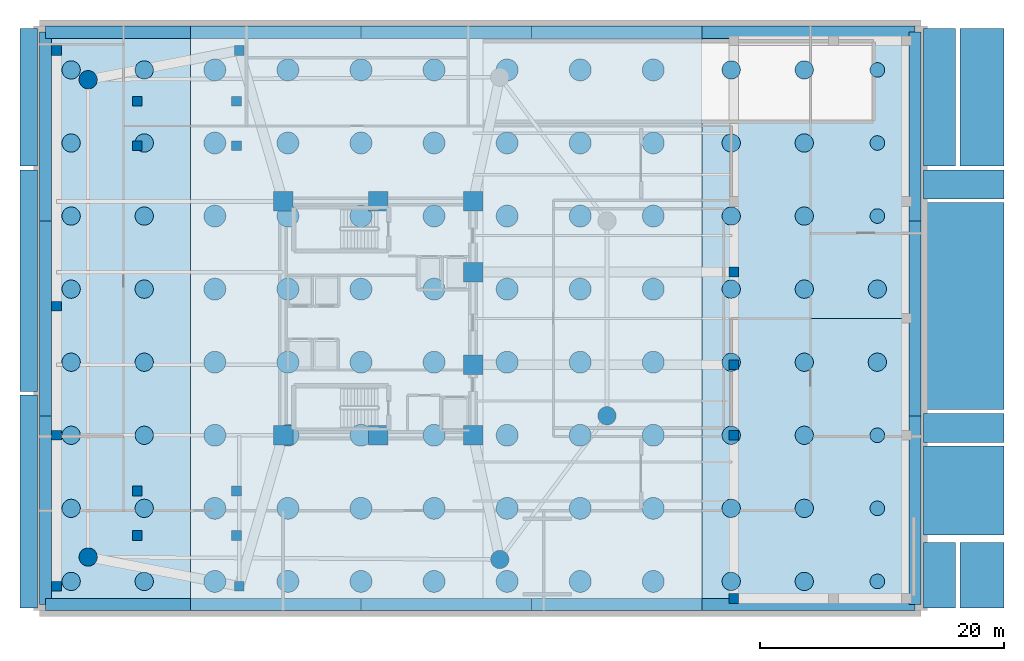
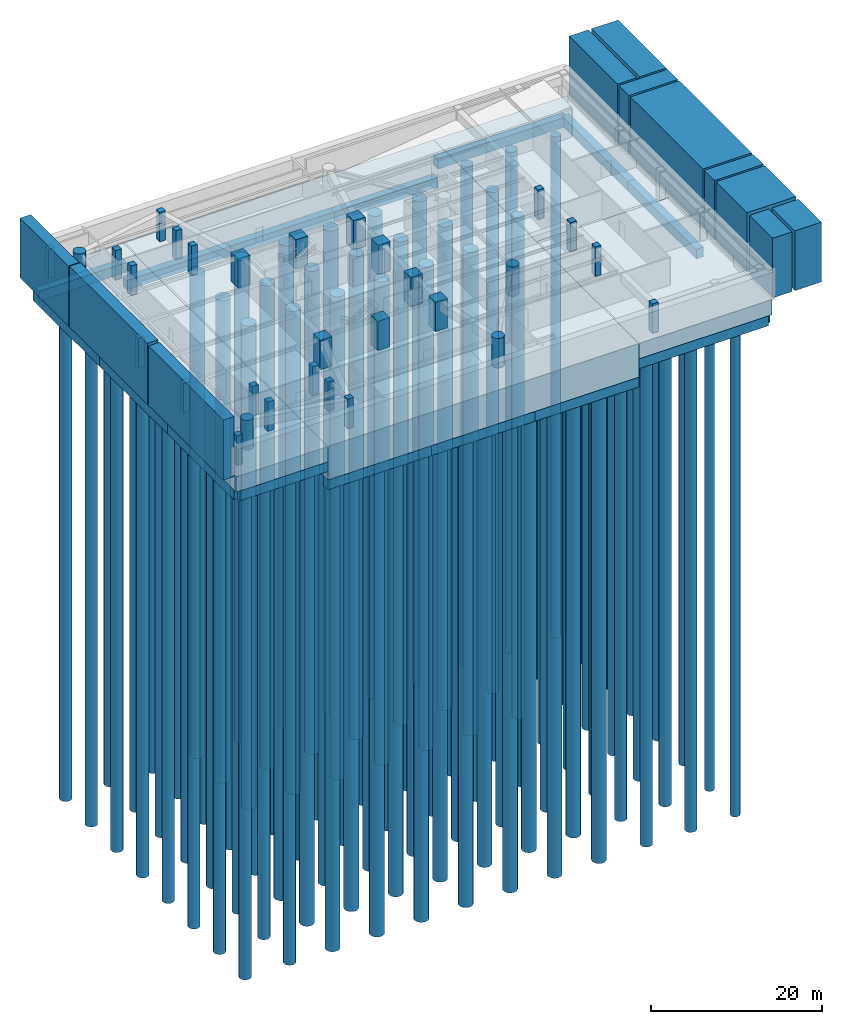
# One storey, part 1 of 8: 96 piles, 31 footings, 30 columns.
"""IFC4 building model written with IfcOpenShell, lengths in metres."""

import ifcopenshell
import ifcopenshell.guid

model = None  # the IFC model being written
_history = None  # IfcOwnerHistory: only IFC2X3 demands one
_inside = {}  # id of a spatial element -> (the spatial element, [elements in it])
_under = {}  # id of a project, library or spatial element -> (it, [spatial elements below it])
_declared = {}  # id of a project -> (the project, [libraries it declares])
_typed = {}  # id of a type object -> (the type object, [elements of that type])
_made_of = {}  # id of a material, layer set ... -> (it, [elements and type objects made of it])


def new_model(schema):
    """Start an empty IFC model of exactly this schema.

    Asked for "IFC4X3", IfcOpenShell would pick the latest addendum, in which some entities
    have other attributes; the version numbers below select the first issue.
    IFC2X3 requires an IfcOwnerHistory on every rooted entity: one is made here for all.
    """
    global model, _history
    if schema == "IFC4X3":
        model = ifcopenshell.file(schema_version=(4, 3, 0, 0))
    else:
        model = ifcopenshell.file(schema=schema)
    _inside.clear()
    _under.clear()
    _declared.clear()
    _typed.clear()
    _made_of.clear()
    _history = None
    if model.schema == "IFC2X3":
        org = make("IfcOrganization", Name="unknown")
        user = make(
            "IfcPersonAndOrganization",
            ThePerson=make("IfcPerson", FamilyName="unknown"),
            TheOrganization=org,
        )
        app = make(
            "IfcApplication",
            ApplicationDeveloper=org,
            Version="unknown",
            ApplicationFullName="unknown",
            ApplicationIdentifier="unknown",
        )
        _history = make(
            "IfcOwnerHistory",
            OwningUser=user,
            OwningApplication=app,
            ChangeAction="ADDED",
            CreationDate=0,
        )
    return model


def make(cls, **values):
    """One entity of the class cls with the attributes given. An attribute that is None is left unset."""
    return model.create_entity(
        cls, **{name: value for name, value in values.items() if value is not None}
    )


def rooted(cls, **values):
    """An entity with a GlobalId (a new one), such as an element, a storey or a relation."""
    return make(cls, GlobalId=ifcopenshell.guid.new(), OwnerHistory=_history, **values)


def si_unit(unit_type, name, prefix=None):
    """IfcSIUnit, for example si_unit("LENGTHUNIT", "METRE", prefix="MILLI")."""
    return make("IfcSIUnit", UnitType=unit_type, Prefix=prefix, Name=name)


def assignment(units):
    """IfcUnitAssignment: the units of a project."""
    return None if units is None else make("IfcUnitAssignment", Units=units)


def point(xyz):
    """IfcCartesianPoint."""
    return None if xyz is None else make("IfcCartesianPoint", Coordinates=xyz)


def direction(xyz):
    """IfcDirection."""
    return None if xyz is None else make("IfcDirection", DirectionRatios=xyz)


def frame(location, z_axis=None, x_axis=None):
    """IfcAxis2Placement3D, a coordinate frame: its origin and axes. An axis left out is left unset."""
    return make(
        "IfcAxis2Placement3D",
        Location=point(location),
        Axis=direction(z_axis),
        RefDirection=direction(x_axis),
    )


def frame_2d(location, x_axis=None):
    """IfcAxis2Placement2D, a coordinate frame in the plane: its origin and x axis."""
    return make(
        "IfcAxis2Placement2D", Location=point(location), RefDirection=direction(x_axis)
    )


def origin():
    """The frame at (0, 0, 0) with its axes left unset."""
    return frame((0.0, 0.0, 0.0))


def origin_2d():
    """The frame at (0, 0) in the plane with its x axis left unset."""
    return frame_2d((0.0, 0.0))


def place(relative_to, where):
    """IfcLocalPlacement: puts the frame where relative to a parent placement (None: the world)."""
    return make(
        "IfcLocalPlacement", PlacementRelTo=relative_to, RelativePlacement=where
    )


def context(
    kind, dimensions, precision=None, world=None, true_north=None, identifier=None
):
    """IfcGeometricRepresentationContext, for example the 3D "Model" context."""
    return make(
        "IfcGeometricRepresentationContext",
        ContextIdentifier=identifier,
        ContextType=kind,
        CoordinateSpaceDimension=dimensions,
        Precision=precision,
        WorldCoordinateSystem=world,
        TrueNorth=true_north,
    )


def subcontext(parent, identifier, kind, view, scale=None):
    """IfcGeometricRepresentationSubContext, for example "Body" below "Model"."""
    return make(
        "IfcGeometricRepresentationSubContext",
        ContextIdentifier=identifier,
        ContextType=kind,
        ParentContext=parent,
        TargetScale=scale,
        TargetView=view,
    )


def project(units=None, contexts=None):
    """IfcProject with its units and contexts."""
    return rooted(
        "IfcProject",
        Name="project",
        RepresentationContexts=contexts,
        UnitsInContext=assignment(units),
    )


def spatial(cls, under=None, at=None, **own):
    """A site, building, storey or space (cls), placed at a placement, below another one or the project."""
    s = rooted(cls, ObjectPlacement=at, **own)
    if under is not None:
        _under.setdefault(under.id(), (under, []))[1].append(s)
    return s


def polyline(points):
    """IfcPolyline through the points."""
    return make("IfcPolyline", Points=[point(p) for p in points])


def profile(cls, at=None, kind="AREA", **sizes):
    """A parametric profile (cls). Its sizes go by their IFC names, for example OverallWidth=200.0."""
    return make(cls, ProfileType=kind, Position=at, **sizes)


def rectangle(**sizes):
    """IfcRectangleProfileDef."""
    return profile("IfcRectangleProfileDef", **sizes)


def circle(**sizes):
    """IfcCircleProfileDef."""
    return profile("IfcCircleProfileDef", **sizes)


def outline(outer, holes=None, kind="AREA"):
    """IfcArbitraryClosedProfileDef: a profile drawn as a closed curve; with holes, ...WithVoids."""
    if holes is None:
        return make("IfcArbitraryClosedProfileDef", ProfileType=kind, OuterCurve=outer)
    return make(
        "IfcArbitraryProfileDefWithVoids",
        ProfileType=kind,
        OuterCurve=outer,
        InnerCurves=holes,
    )


def extrude(swept, where, along, depth):
    """IfcExtrudedAreaSolid: the profile swept, set in the frame where, extruded along a direction by depth."""
    return make(
        "IfcExtrudedAreaSolid",
        SweptArea=swept,
        Position=where,
        ExtrudedDirection=direction(along),
        Depth=depth,
    )


def shape(context_of_items, identifier, shape_type, items):
    """IfcShapeRepresentation: the items that make up one representation, for example the "Body"."""
    return make(
        "IfcShapeRepresentation",
        ContextOfItems=context_of_items,
        RepresentationIdentifier=identifier,
        RepresentationType=shape_type,
        Items=items,
    )


def material(Name=None, Category=None):
    """IfcMaterial."""
    return make("IfcMaterial", Name=Name, Category=Category)


def layer(
    of_material, thickness, ventilated=None, Name=None, Category=None, Priority=None
):
    """IfcMaterialLayer: one layer of a wall or slab, of a material (None: an air gap)."""
    return make(
        "IfcMaterialLayer",
        Material=of_material,
        LayerThickness=thickness,
        IsVentilated=ventilated,
        Name=Name,
        Category=Category,
        Priority=Priority,
    )


def layer_set(layers, Name=None):
    """IfcMaterialLayerSet."""
    return make("IfcMaterialLayerSet", MaterialLayers=layers, LayerSetName=Name)


def material_profile(
    of_material, cross_section, Name=None, Category=None, Priority=None
):
    """IfcMaterialProfile: a cross section and its material."""
    return make(
        "IfcMaterialProfile",
        Name=Name,
        Material=of_material,
        Profile=cross_section,
        Priority=Priority,
        Category=Category,
    )


def profile_set(profiles, Name=None, composite=None):
    """IfcMaterialProfileSet."""
    return make(
        "IfcMaterialProfileSet",
        Name=Name,
        MaterialProfiles=profiles,
        CompositeProfile=composite,
    )


def made_of(thing, what):
    """Note that an element or type object is made of a material, layer set ...; save() writes the relation."""
    if what is not None:
        _made_of.setdefault(what.id(), (what, []))[1].append(thing)
    return thing


def type_object(cls, material=None, **own):
    """A type object (cls), such as IfcWallType, which elements share."""
    return made_of(rooted(cls, **own), material)


def element(
    cls,
    number,
    at=None,
    inside=None,
    cuts=None,
    type_object=None,
    material=None,
    context=None,
    identifier="Body",
    shape_type=None,
    held_by="IfcProductDefinitionShape",
    body=None,
    shapes=None,
    **own,
):
    """One element of the class cls, such as IfcWall. Its Tag is "e" and its number.

    at: its placement. inside: the storey or other place that contains it. cuts: it is an
    opening in that element (IfcRelVoidsElement). A single representation is given by context,
    identifier, shape_type and body (its items); several are given by shapes. held_by: the class
    of the entity that holds the representations. save() writes the other relations.
    """
    e = rooted(cls, Tag="e%d" % number, ObjectPlacement=at, **own)
    if body is not None:
        shapes = [shape(context, identifier, shape_type, body)]
    if shapes is not None:
        e.Representation = make(held_by, Representations=shapes)
    if inside is not None:
        _inside.setdefault(inside.id(), (inside, []))[1].append(e)
    if cuts is not None:
        rooted(
            "IfcRelVoidsElement", RelatingBuildingElement=cuts, RelatedOpeningElement=e
        )
    if type_object is not None:
        _typed.setdefault(type_object.id(), (type_object, []))[1].append(e)
    return made_of(e, material)


def aggregate(whole, parts):
    """IfcRelAggregates: a whole, such as a stair, and the parts it consists of."""
    return rooted("IfcRelAggregates", RelatingObject=whole, RelatedObjects=parts)


def save(model, path):
    """Write the relations noted so far, then the file.

    IfcRelAggregates (storeys below a building ...), IfcRelContainedInSpatialStructure (elements
    in a storey), IfcRelDefinesByType, IfcRelAssociatesMaterial and IfcRelDeclares: one each for
    every whole, place, type object, material and project.
    """
    for whole, parts in _under.values():
        aggregate(whole, parts)
    for where, things in _inside.values():
        rooted(
            "IfcRelContainedInSpatialStructure",
            RelatedElements=things,
            RelatingStructure=where,
        )
    for kind, things in _typed.values():
        rooted("IfcRelDefinesByType", RelatedObjects=things, RelatingType=kind)
    for what, things in _made_of.values():
        rooted("IfcRelAssociatesMaterial", RelatedObjects=things, RelatingMaterial=what)
    for by, libraries in _declared.values():
        rooted("IfcRelDeclares", RelatingContext=by, RelatedDefinitions=libraries)
    model.write(path)


model = new_model("IFC4")

# Units and contexts
model_context = context("Model", 3, precision=1e-05, world=origin(), true_north=direction((0.0, 1.0)))
body_context = subcontext(model_context, "Body", "Model", "MODEL_VIEW")
ifc_project = project(units=[si_unit("LENGTHUNIT", "METRE"), si_unit("AREAUNIT", "SQUARE_METRE"), si_unit("VOLUMEUNIT", "CUBIC_METRE"), si_unit("PLANEANGLEUNIT", "RADIAN"), si_unit("MASSUNIT", "GRAM", prefix="KILO")], contexts=[model_context])

# Site, building, storey
site_placement = place(None, origin())
site = spatial("IfcSite", under=ifc_project, at=site_placement, CompositionType="ELEMENT")
building_placement = place(site_placement, origin())
building = spatial("IfcBuilding", under=site, at=building_placement, Name="An Khanh Terracotta Commons", CompositionType="ELEMENT")
storey_placement = place(building_placement, frame((0.0, 0.0, -8.39990234375)))
storey = spatial("IfcBuildingStorey", under=building, at=storey_placement, Name="B02", CompositionType="ELEMENT", Elevation=-8.39990234375)

# Footings
ifc_material_1 = material(Name="Concrete C50/60", Category="concrete")
ifc_layer_1 = layer(ifc_material_1, 8.60009765625, Name="Concrete C50/60")
ifc_layer_set_1 = layer_set([ifc_layer_1], Name="Concrete C50/60")
footing_type_1 = type_object("IfcFootingType", Name="FT-PLAZA-PAD", PredefinedType="PAD_FOOTING", material=ifc_layer_set_1)
footing_1_placement = place(storey_placement, frame((0.0, 0.0, -0.300048828125)))
element("IfcFooting", 1, at=footing_1_placement, inside=storey, type_object=footing_type_1, Name="West Boulevard Entrance Canopy and Ramp Foundation Strip", PredefinedType="PAD_FOOTING", context=body_context, shape_type="SweptSolid", body=[
    extrude(outline(polyline([(0.0, 18.0), (1.449951171875, 18.0), (1.449951171875, 36.199951171875), (0.0, 36.199951171875), (0.0, 18.0)])), origin(), (0.0, 0.0, 1.0), 8.699951171875),
])
footing_2_placement = place(storey_placement, frame((0.0, 0.0, -0.300048828125)))
element("IfcFooting", 2, at=footing_2_placement, inside=storey, type_object=footing_type_1, Name="East Plaza Ramp South Foundation Pier", PredefinedType="PAD_FOOTING", context=body_context, shape_type="SweptSolid", body=[
    extrude(outline(polyline([(74.199951171875, 13.800048828125), (80.800048828125, 13.800048828125), (80.800048828125, 16.199951171875), (74.199951171875, 16.199951171875), (74.199951171875, 13.800048828125)])), origin(), (0.0, 0.0, 1.0), 8.5400390625),
])
footing_3_placement = place(storey_placement, frame((0.0, 0.0, -0.300048828125)))
element("IfcFooting", 3, at=footing_3_placement, inside=storey, type_object=footing_type_1, Name="East Plaza Ramp North Foundation Pier", PredefinedType="PAD_FOOTING", context=body_context, shape_type="SweptSolid", body=[
    extrude(outline(polyline([(74.199951171875, 33.800048828125), (80.800048828125, 33.800048828125), (80.800048828125, 36.199951171875), (74.199951171875, 36.199951171875), (74.199951171875, 33.800048828125)])), origin(), (0.0, 0.0, 1.0), 8.5400390625),
])
footing_4_placement = place(storey_placement, frame((0.0, 0.0, -0.300048828125)))
element("IfcFooting", 4, at=footing_4_placement, inside=storey, type_object=footing_type_1, Name="East Ramp Apron South-West Foundation Pier", PredefinedType="PAD_FOOTING", context=body_context, shape_type="SweptSolid", body=[
    extrude(outline(polyline([(74.199951171875, 0.199951171875), (76.800048828125, 0.199951171875), (76.800048828125, 5.60009765625), (74.199951171875, 5.60009765625), (74.199951171875, 0.199951171875)])), origin(), (0.0, 0.0, 1.0), 8.5400390625),
])
footing_5_placement = place(storey_placement, frame((0.0, 0.0, -0.300048828125)))
element("IfcFooting", 5, at=footing_5_placement, inside=storey, type_object=footing_type_1, Name="East Ramp Apron South-East Foundation Pier", PredefinedType="PAD_FOOTING", context=body_context, shape_type="SweptSolid", body=[
    extrude(outline(polyline([(77.199951171875, 0.199951171875), (80.800048828125, 0.199951171875), (80.800048828125, 5.60009765625), (77.199951171875, 5.60009765625), (77.199951171875, 0.199951171875)])), origin(), (0.0, 0.0, 1.0), 8.5400390625),
])
footing_6_placement = place(storey_placement, frame((0.0, 0.0, -0.300048828125)))
element("IfcFooting", 6, at=footing_6_placement, inside=storey, type_object=footing_type_1, Name="East Ramp Apron North Foundation Strip", PredefinedType="PAD_FOOTING", context=body_context, shape_type="SweptSolid", body=[
    extrude(outline(polyline([(74.199951171875, 6.199951171875), (80.800048828125, 6.199951171875), (80.800048828125, 13.5), (74.199951171875, 13.5), (74.199951171875, 6.199951171875)])), origin(), (0.0, 0.0, 1.0), 8.5400390625),
])
footing_7_placement = place(storey_placement, frame((0.0, 0.0, -0.300048828125)))
element("IfcFooting", 7, at=footing_7_placement, inside=storey, type_object=footing_type_1, Name="East Riverfront Plaza Central Foundation Strip", PredefinedType="PAD_FOOTING", context=body_context, shape_type="SweptSolid", body=[
    extrude(outline(polyline([(74.199951171875, 16.5), (80.800048828125, 16.5), (80.800048828125, 33.5), (74.199951171875, 33.5), (74.199951171875, 16.5)])), origin(), (0.0, 0.0, 1.0), 8.5400390625),
])
footing_8_placement = place(storey_placement, frame((0.0, 0.0, -0.300048828125)))
element("IfcFooting", 8, at=footing_8_placement, inside=storey, type_object=footing_type_1, Name="East Riverfront Plaza North-West Foundation Strip", PredefinedType="PAD_FOOTING", context=body_context, shape_type="SweptSolid", body=[
    extrude(outline(polyline([(74.199951171875, 36.5), (76.800048828125, 36.5), (76.800048828125, 47.800048828125), (74.199951171875, 47.800048828125), (74.199951171875, 36.5)])), origin(), (0.0, 0.0, 1.0), 8.5400390625),
])
footing_9_placement = place(storey_placement, frame((0.0, 0.0, -0.300048828125)))
element("IfcFooting", 9, at=footing_9_placement, inside=storey, type_object=footing_type_1, Name="East Riverfront Plaza North-East Foundation Strip", PredefinedType="PAD_FOOTING", context=body_context, shape_type="SweptSolid", body=[
    extrude(outline(polyline([(77.199951171875, 36.5), (80.800048828125, 36.5), (80.800048828125, 47.800048828125), (77.199951171875, 47.800048828125), (77.199951171875, 36.5)])), origin(), (0.0, 0.0, 1.0), 8.5400390625),
])
footing_10_placement = place(storey_placement, frame((0.0, 0.0, -0.300048828125)))
element("IfcFooting", 10, at=footing_10_placement, inside=storey, type_object=footing_type_1, Name="West Boulevard South Apron Foundation Strip", PredefinedType="PAD_FOOTING", context=body_context, shape_type="SweptSolid", body=[
    extrude(outline(polyline([(0.0, 0.199951171875), (1.449951171875, 0.199951171875), (1.449951171875, 17.699951171875), (0.0, 17.699951171875), (0.0, 0.199951171875)])), origin(), (0.0, 0.0, 1.0), 8.5400390625),
])
footing_11_placement = place(storey_placement, frame((0.0, 0.0, -0.300048828125)))
element("IfcFooting", 11, at=footing_11_placement, inside=storey, type_object=footing_type_1, Name="West Boulevard North Apron Foundation Strip", PredefinedType="PAD_FOOTING", context=body_context, shape_type="SweptSolid", body=[
    extrude(outline(polyline([(0.0, 36.5), (1.449951171875, 36.5), (1.449951171875, 47.800048828125), (0.0, 47.800048828125), (0.0, 36.5)])), origin(), (0.0, 0.0, 1.0), 8.5400390625),
])
ifc_layer_2 = layer(ifc_material_1, 2.199951171875, Name="Concrete C50/60")
ifc_layer_set_2 = layer_set([ifc_layer_2], Name="Concrete C50/60")
footing_type_2 = type_object("IfcFootingType", Name="FT-RAFT-2200E", PredefinedType="PAD_FOOTING", material=ifc_layer_set_2)
footing_12_placement = place(storey_placement, frame((0.0, 0.0, -2.5)))
element("IfcFooting", 12, at=footing_12_placement, inside=storey, type_object=footing_type_2, Name="South-East Basement Piled Raft 2200 mm", PredefinedType="PAD_FOOTING", context=body_context, shape_type="SweptSolid", body=[
    extrude(outline(polyline([(56.0, 0.0), (74.0, 0.0), (74.0, 24.0), (56.0, 24.0), (56.0, 0.0)])), origin(), (0.0, 0.0, 1.0), 2.199951171875),
])
footing_13_placement = place(storey_placement, frame((0.0, 0.0, -2.5)))
element("IfcFooting", 13, at=footing_13_placement, inside=storey, type_object=footing_type_2, Name="North-East Basement Piled Raft 2200 mm", PredefinedType="PAD_FOOTING", context=body_context, shape_type="SweptSolid", body=[
    extrude(outline(polyline([(56.0, 24.0), (74.0, 24.0), (74.0, 48.0), (56.0, 48.0), (56.0, 24.0)])), origin(), (0.0, 0.0, 1.0), 2.199951171875),
])
ifc_layer_3 = layer(ifc_material_1, 2.199951171875, Name="Concrete C50/60")
ifc_layer_set_3 = layer_set([ifc_layer_3], Name="Concrete C50/60")
footing_type_3 = type_object("IfcFootingType", Name="FT-RAFT-2200W", PredefinedType="PAD_FOOTING", material=ifc_layer_set_3)
footing_14_placement = place(storey_placement, frame((0.0, 0.0, -2.5)))
element("IfcFooting", 14, at=footing_14_placement, inside=storey, type_object=footing_type_3, Name="West Basement Piled Raft 2200 mm", PredefinedType="PAD_FOOTING", context=body_context, shape_type="SweptSolid", body=[
    extrude(outline(polyline([(1.60009765625, 0.0), (14.0, 0.0), (14.0, 48.0), (1.60009765625, 48.0), (1.60009765625, 0.0)])), origin(), (0.0, 0.0, 1.0), 2.199951171875),
])
ifc_layer_4 = layer(ifc_material_1, 4.800048828125, Name="Concrete C50/60")
ifc_layer_set_4 = layer_set([ifc_layer_4], Name="Concrete C50/60")
footing_type_4 = type_object("IfcFootingType", Name="FT-RAFT-4800", PredefinedType="PAD_FOOTING", material=ifc_layer_set_4)
footing_15_placement = place(storey_placement, frame((0.0, 0.0, -5.10009765625)))
element("IfcFooting", 15, at=footing_15_placement, inside=storey, type_object=footing_type_4, Name="Tower and Core Monolithic Piled Raft 4800 mm", PredefinedType="PAD_FOOTING", context=body_context, shape_type="SweptSolid", body=[
    extrude(outline(polyline([(14.0, 0.0), (56.0, 0.0), (56.0, 48.0), (14.0, 48.0), (14.0, 0.0)])), origin(), (0.0, 0.0, 1.0), 4.800048828125),
])
ifc_material_profile_1 = material_profile(ifc_material_1, rectangle(XDim=1.0, YDim=1.39990234375, at=origin_2d()), Name="FTB1000x1400")
ifc_profile_set_1 = profile_set([ifc_material_profile_1], Name="Concrete C50/60")
footing_type_5 = type_object("IfcFootingType", Name="FTB-1000x1400", PredefinedType="FOOTING_BEAM", material=ifc_profile_set_1)
for number, where, z_axis, x_axis, name in (
    (16, (2.10009765625, 0.5, -3.2001953125), (1.0, 0.0, 0.0), (0.0, 1.0, 0.0), "Perimeter Raft Tie Beam FTB-01"),
    (17, (14.0, 47.5, -3.2001953125), (-1.0, 0.0, 0.0), (0.0, -1.0, 0.0), "Perimeter Raft Tie Beam FTB-02"),
):
    element("IfcFooting", number, at=place(storey_placement, frame(where, z_axis=z_axis, x_axis=x_axis)), inside=storey, type_object=footing_type_5, Name=name, PredefinedType="FOOTING_BEAM", context=body_context, shape_type="SweptSolid", body=[
        extrude(rectangle(XDim=1.0, YDim=1.39990234375, at=origin_2d()), origin(), (0.0, 0.0, 1.0), 11.89990234375),
    ])
footing_16_placement = place(storey_placement, frame((2.10009765625, 0.5, -3.2001953125), z_axis=(0.0, 1.0, 0.0), x_axis=(-1.0, 0.0, 0.0)))
element("IfcFooting", 18, at=footing_16_placement, inside=storey, type_object=footing_type_5, Name="Perimeter Raft Tie Beam FTB-03", PredefinedType="FOOTING_BEAM", context=body_context, shape_type="SweptSolid", body=[
    extrude(rectangle(XDim=1.0, YDim=1.39990234375, at=origin_2d()), origin(), (0.0, 0.0, 1.0), 15.5),
])
footing_17_placement = place(storey_placement, frame((2.10009765625, 16.0, -3.2001953125), z_axis=(0.0, 1.0, 0.0), x_axis=(-1.0, 0.0, 0.0)))
element("IfcFooting", 19, at=footing_17_placement, inside=storey, type_object=footing_type_5, Name="Perimeter Raft Tie Beam FTB-04", PredefinedType="FOOTING_BEAM", context=body_context, shape_type="SweptSolid", body=[
    extrude(rectangle(XDim=1.0, YDim=1.39990234375, at=origin_2d()), origin(), (0.0, 0.0, 1.0), 16.0),
])
footing_18_placement = place(storey_placement, frame((2.10009765625, 32.0, -3.2001953125), z_axis=(0.0, 1.0, 0.0), x_axis=(-1.0, 0.0, 0.0)))
element("IfcFooting", 20, at=footing_18_placement, inside=storey, type_object=footing_type_5, Name="Perimeter Raft Tie Beam FTB-05", PredefinedType="FOOTING_BEAM", context=body_context, shape_type="SweptSolid", body=[
    extrude(rectangle(XDim=1.0, YDim=1.39990234375, at=origin_2d()), origin(), (0.0, 0.0, 1.0), 15.5),
])
for number, where, z_axis, x_axis, name in (
    (21, (14.0, 0.5, -5.800048828125), (1.0, 0.0, 0.0), (0.0, 1.0, 0.0), "Perimeter Raft Tie Beam FTB-06"),
    (22, (28.0, 0.5, -5.800048828125), (1.0, 0.0, 0.0), (0.0, 1.0, 0.0), "Perimeter Raft Tie Beam FTB-07"),
    (23, (42.0, 0.5, -5.800048828125), (1.0, 0.0, 0.0), (0.0, 1.0, 0.0), "Perimeter Raft Tie Beam FTB-08"),
    (24, (14.0, 47.5, -5.800048828125), (1.0, 0.0, 0.0), (0.0, 1.0, 0.0), "Perimeter Raft Tie Beam FTB-09"),
    (25, (28.0, 47.5, -5.800048828125), (1.0, 0.0, 0.0), (0.0, 1.0, 0.0), "Perimeter Raft Tie Beam FTB-10"),
    (26, (42.0, 47.5, -5.800048828125), (1.0, 0.0, 0.0), (0.0, 1.0, 0.0), "Perimeter Raft Tie Beam FTB-11"),
):
    element("IfcFooting", number, at=place(storey_placement, frame(where, z_axis=z_axis, x_axis=x_axis)), inside=storey, type_object=footing_type_5, Name=name, PredefinedType="FOOTING_BEAM", context=body_context, shape_type="SweptSolid", body=[
        extrude(rectangle(XDim=1.0, YDim=1.39990234375, at=origin_2d()), origin(), (0.0, 0.0, 1.0), 14.0),
    ])
for number, where, z_axis, x_axis, name in (
    (27, (56.0, 0.5, -3.2001953125), (1.0, 0.0, 0.0), (0.0, 1.0, 0.0), "Perimeter Raft Tie Beam FTB-12"),
    (28, (56.0, 47.5, -3.2001953125), (1.0, 0.0, 0.0), (0.0, 1.0, 0.0), "Perimeter Raft Tie Beam FTB-13"),
):
    element("IfcFooting", number, at=place(storey_placement, frame(where, z_axis=z_axis, x_axis=x_axis)), inside=storey, type_object=footing_type_5, Name=name, PredefinedType="FOOTING_BEAM", context=body_context, shape_type="SweptSolid", body=[
        extrude(rectangle(XDim=1.0, YDim=1.39990234375, at=origin_2d()), origin(), (0.0, 0.0, 1.0), 17.5),
    ])
footing_19_placement = place(storey_placement, frame((73.5, 0.5, -3.2001953125), z_axis=(0.0, 1.0, 0.0), x_axis=(-1.0, 0.0, 0.0)))
element("IfcFooting", 29, at=footing_19_placement, inside=storey, type_object=footing_type_5, Name="Perimeter Raft Tie Beam FTB-14", PredefinedType="FOOTING_BEAM", context=body_context, shape_type="SweptSolid", body=[
    extrude(rectangle(XDim=1.0, YDim=1.39990234375, at=origin_2d()), origin(), (0.0, 0.0, 1.0), 15.5),
])
footing_20_placement = place(storey_placement, frame((73.5, 16.0, -3.2001953125), z_axis=(0.0, 1.0, 0.0), x_axis=(-1.0, 0.0, 0.0)))
element("IfcFooting", 30, at=footing_20_placement, inside=storey, type_object=footing_type_5, Name="Perimeter Raft Tie Beam FTB-15", PredefinedType="FOOTING_BEAM", context=body_context, shape_type="SweptSolid", body=[
    extrude(rectangle(XDim=1.0, YDim=1.39990234375, at=origin_2d()), origin(), (0.0, 0.0, 1.0), 16.0),
])
footing_21_placement = place(storey_placement, frame((73.5, 32.0, -3.2001953125), z_axis=(0.0, 1.0, 0.0), x_axis=(-1.0, 0.0, 0.0)))
element("IfcFooting", 31, at=footing_21_placement, inside=storey, type_object=footing_type_5, Name="Perimeter Raft Tie Beam FTB-16", PredefinedType="FOOTING_BEAM", context=body_context, shape_type="SweptSolid", body=[
    extrude(rectangle(XDim=1.0, YDim=1.39990234375, at=origin_2d()), origin(), (0.0, 0.0, 1.0), 15.5),
])

# Piles
ifc_material_profile_2 = material_profile(ifc_material_1, circle(Radius=0.60009765625, at=origin_2d()), Name="PILE1200")
ifc_profile_set_2 = profile_set([ifc_material_profile_2], Name="Concrete C50/60")
pile_type_1 = type_object("IfcPileType", Name="PILE-PILE1200", PredefinedType="BORED", material=ifc_profile_set_2)
for number, where, z_axis, x_axis, name in (
    (32, (70.39990234375, 2.39990234375, -2.35009765625), (0.0, 0.0, -1.0), (1.0, 0.0, 0.0), "Podium Bored Pile P-089"),
    (33, (70.39990234375, 8.39990234375, -2.35009765625), (0.0, 0.0, -1.0), (1.0, 0.0, 0.0), "Podium Bored Pile P-090"),
    (34, (70.39990234375, 14.39990234375, -2.35009765625), (0.0, 0.0, -1.0), (1.0, 0.0, 0.0), "Podium Bored Pile P-091"),
    (35, (70.39990234375, 32.39990234375, -2.35009765625), (0.0, 0.0, -1.0), (1.0, 0.0, 0.0), "Podium Bored Pile P-094"),
    (36, (70.39990234375, 38.39990234375, -2.35009765625), (0.0, 0.0, -1.0), (1.0, 0.0, 0.0), "Podium Bored Pile P-095"),
    (37, (70.39990234375, 44.39990234375, -2.35009765625), (0.0, 0.0, -1.0), (1.0, 0.0, 0.0), "Podium Bored Pile P-096"),
):
    element("IfcPile", number, at=place(storey_placement, frame(where, z_axis=z_axis, x_axis=x_axis)), inside=storey, type_object=pile_type_1, Name=name, PredefinedType="BORED", context=body_context, shape_type="SweptSolid", body=[
        extrude(circle(Radius=0.60009765625, at=origin_2d()), origin(), (0.0, 0.0, 1.0), 71.64990234375),
    ])
ifc_material_profile_3 = material_profile(ifc_material_1, circle(Radius=0.75, at=origin_2d()), Name="PILE1500")
ifc_profile_set_3 = profile_set([ifc_material_profile_3], Name="Concrete C50/60")
pile_type_2 = type_object("IfcPileType", Name="PILE-PILE1500", PredefinedType="BORED", material=ifc_profile_set_3)
for number, where, z_axis, x_axis, name in (
    (38, (4.199951171875, 2.39990234375, -2.35009765625), (0.0, 0.0, -1.0), (1.0, 0.0, 0.0), "Podium Bored Pile P-057"),
    (39, (4.199951171875, 8.39990234375, -2.35009765625), (0.0, 0.0, -1.0), (1.0, 0.0, 0.0), "Podium Bored Pile P-058"),
    (40, (4.199951171875, 14.39990234375, -2.35009765625), (0.0, 0.0, -1.0), (1.0, 0.0, 0.0), "Podium Bored Pile P-059"),
    (41, (4.199951171875, 20.39990234375, -2.35009765625), (0.0, 0.0, -1.0), (1.0, 0.0, 0.0), "Podium Bored Pile P-060"),
    (42, (4.199951171875, 26.39990234375, -2.35009765625), (0.0, 0.0, -1.0), (1.0, 0.0, 0.0), "Podium Bored Pile P-061"),
    (43, (4.199951171875, 32.39990234375, -2.35009765625), (0.0, 0.0, -1.0), (1.0, 0.0, 0.0), "Podium Bored Pile P-062"),
    (44, (4.199951171875, 38.39990234375, -2.35009765625), (0.0, 0.0, -1.0), (1.0, 0.0, 0.0), "Podium Bored Pile P-063"),
    (45, (4.199951171875, 44.39990234375, -2.35009765625), (0.0, 0.0, -1.0), (1.0, 0.0, 0.0), "Podium Bored Pile P-064"),
    (46, (10.199951171875, 2.39990234375, -2.35009765625), (0.0, 0.0, -1.0), (1.0, 0.0, 0.0), "Podium Bored Pile P-065"),
    (47, (10.199951171875, 8.39990234375, -2.35009765625), (0.0, 0.0, -1.0), (1.0, 0.0, 0.0), "Podium Bored Pile P-066"),
    (48, (10.199951171875, 14.39990234375, -2.35009765625), (0.0, 0.0, -1.0), (1.0, 0.0, 0.0), "Podium Bored Pile P-067"),
    (49, (10.199951171875, 20.39990234375, -2.35009765625), (0.0, 0.0, -1.0), (1.0, 0.0, 0.0), "Podium Bored Pile P-068"),
    (50, (10.199951171875, 26.39990234375, -2.35009765625), (0.0, 0.0, -1.0), (1.0, 0.0, 0.0), "Podium Bored Pile P-069"),
    (51, (10.199951171875, 32.39990234375, -2.35009765625), (0.0, 0.0, -1.0), (1.0, 0.0, 0.0), "Podium Bored Pile P-070"),
    (52, (10.199951171875, 38.39990234375, -2.35009765625), (0.0, 0.0, -1.0), (1.0, 0.0, 0.0), "Podium Bored Pile P-071"),
    (53, (10.199951171875, 44.39990234375, -2.35009765625), (0.0, 0.0, -1.0), (1.0, 0.0, 0.0), "Podium Bored Pile P-072"),
    (54, (58.39990234375, 2.39990234375, -2.35009765625), (0.0, 0.0, -1.0), (1.0, 0.0, 0.0), "Podium Bored Pile P-073"),
    (55, (58.39990234375, 8.39990234375, -2.35009765625), (0.0, 0.0, -1.0), (1.0, 0.0, 0.0), "Podium Bored Pile P-074"),
    (56, (58.39990234375, 14.39990234375, -2.35009765625), (0.0, 0.0, -1.0), (1.0, 0.0, 0.0), "Podium Bored Pile P-075"),
    (57, (58.39990234375, 20.39990234375, -2.35009765625), (0.0, 0.0, -1.0), (1.0, 0.0, 0.0), "Podium Bored Pile P-076"),
    (58, (58.39990234375, 26.39990234375, -2.35009765625), (0.0, 0.0, -1.0), (1.0, 0.0, 0.0), "Podium Bored Pile P-077"),
    (59, (58.39990234375, 32.39990234375, -2.35009765625), (0.0, 0.0, -1.0), (1.0, 0.0, 0.0), "Podium Bored Pile P-078"),
    (60, (58.39990234375, 38.39990234375, -2.35009765625), (0.0, 0.0, -1.0), (1.0, 0.0, 0.0), "Podium Bored Pile P-079"),
    (61, (58.39990234375, 44.39990234375, -2.35009765625), (0.0, 0.0, -1.0), (1.0, 0.0, 0.0), "Podium Bored Pile P-080"),
    (62, (64.39990234375, 2.39990234375, -2.35009765625), (0.0, 0.0, -1.0), (1.0, 0.0, 0.0), "Podium Bored Pile P-081"),
    (63, (64.39990234375, 8.39990234375, -2.35009765625), (0.0, 0.0, -1.0), (1.0, 0.0, 0.0), "Podium Bored Pile P-082"),
    (64, (64.39990234375, 14.39990234375, -2.35009765625), (0.0, 0.0, -1.0), (1.0, 0.0, 0.0), "Podium Bored Pile P-083"),
    (65, (64.39990234375, 20.39990234375, -2.35009765625), (0.0, 0.0, -1.0), (1.0, 0.0, 0.0), "Podium Bored Pile P-084"),
    (66, (64.39990234375, 26.39990234375, -2.35009765625), (0.0, 0.0, -1.0), (1.0, 0.0, 0.0), "Podium Bored Pile P-085"),
    (67, (64.39990234375, 32.39990234375, -2.35009765625), (0.0, 0.0, -1.0), (1.0, 0.0, 0.0), "Podium Bored Pile P-086"),
    (68, (64.39990234375, 38.39990234375, -2.35009765625), (0.0, 0.0, -1.0), (1.0, 0.0, 0.0), "Podium Bored Pile P-087"),
    (69, (64.39990234375, 44.39990234375, -2.35009765625), (0.0, 0.0, -1.0), (1.0, 0.0, 0.0), "Podium Bored Pile P-088"),
    (70, (70.39990234375, 20.39990234375, -2.35009765625), (0.0, 0.0, -1.0), (1.0, 0.0, 0.0), "Podium Bored Pile P-092"),
    (71, (70.39990234375, 26.39990234375, -2.35009765625), (0.0, 0.0, -1.0), (1.0, 0.0, 0.0), "Podium Bored Pile P-093"),
):
    element("IfcPile", number, at=place(storey_placement, frame(where, z_axis=z_axis, x_axis=x_axis)), inside=storey, type_object=pile_type_2, Name=name, PredefinedType="BORED", context=body_context, shape_type="SweptSolid", body=[
        extrude(circle(Radius=0.75, at=origin_2d()), origin(), (0.0, 0.0, 1.0), 71.64990234375),
    ])
ifc_material_profile_4 = material_profile(ifc_material_1, circle(Radius=0.89990234375, at=origin_2d()), Name="PILE1800")
ifc_profile_set_4 = profile_set([ifc_material_profile_4], Name="Concrete C50/60")
pile_type_3 = type_object("IfcPileType", Name="PILE-PILE1800", PredefinedType="BORED", material=ifc_profile_set_4)
for number, where, z_axis, x_axis, name in (
    (72, (16.0, 2.39990234375, -4.9501953125), (0.0, 0.0, -1.0), (1.0, 0.0, 0.0), "Tower Bored Pile P-001"),
    (73, (16.0, 8.39990234375, -4.9501953125), (0.0, 0.0, -1.0), (1.0, 0.0, 0.0), "Tower Bored Pile P-002"),
    (74, (16.0, 14.39990234375, -4.9501953125), (0.0, 0.0, -1.0), (1.0, 0.0, 0.0), "Tower Bored Pile P-003"),
    (75, (16.0, 20.39990234375, -4.9501953125), (0.0, 0.0, -1.0), (1.0, 0.0, 0.0), "Tower Bored Pile P-004"),
    (76, (16.0, 26.39990234375, -4.9501953125), (0.0, 0.0, -1.0), (1.0, 0.0, 0.0), "Tower Bored Pile P-005"),
    (77, (16.0, 32.39990234375, -4.9501953125), (0.0, 0.0, -1.0), (1.0, 0.0, 0.0), "Tower Bored Pile P-006"),
    (78, (16.0, 38.39990234375, -4.9501953125), (0.0, 0.0, -1.0), (1.0, 0.0, 0.0), "Tower Bored Pile P-007"),
    (79, (16.0, 44.39990234375, -4.9501953125), (0.0, 0.0, -1.0), (1.0, 0.0, 0.0), "Tower Bored Pile P-008"),
    (80, (22.0, 2.39990234375, -4.9501953125), (0.0, 0.0, -1.0), (1.0, 0.0, 0.0), "Tower Bored Pile P-009"),
    (81, (22.0, 8.39990234375, -4.9501953125), (0.0, 0.0, -1.0), (1.0, 0.0, 0.0), "Tower Bored Pile P-010"),
    (82, (22.0, 14.39990234375, -4.9501953125), (0.0, 0.0, -1.0), (1.0, 0.0, 0.0), "Tower Bored Pile P-011"),
    (83, (22.0, 20.39990234375, -4.9501953125), (0.0, 0.0, -1.0), (1.0, 0.0, 0.0), "Tower Bored Pile P-012"),
    (84, (22.0, 26.39990234375, -4.9501953125), (0.0, 0.0, -1.0), (1.0, 0.0, 0.0), "Tower Bored Pile P-013"),
    (85, (22.0, 32.39990234375, -4.9501953125), (0.0, 0.0, -1.0), (1.0, 0.0, 0.0), "Tower Bored Pile P-014"),
    (86, (22.0, 38.39990234375, -4.9501953125), (0.0, 0.0, -1.0), (1.0, 0.0, 0.0), "Tower Bored Pile P-015"),
    (87, (22.0, 44.39990234375, -4.9501953125), (0.0, 0.0, -1.0), (1.0, 0.0, 0.0), "Tower Bored Pile P-016"),
    (88, (28.0, 2.39990234375, -4.9501953125), (0.0, 0.0, -1.0), (1.0, 0.0, 0.0), "Tower Bored Pile P-017"),
    (89, (28.0, 8.39990234375, -4.9501953125), (0.0, 0.0, -1.0), (1.0, 0.0, 0.0), "Tower Bored Pile P-018"),
    (90, (28.0, 14.39990234375, -4.9501953125), (0.0, 0.0, -1.0), (1.0, 0.0, 0.0), "Tower Bored Pile P-019"),
    (91, (28.0, 20.39990234375, -4.9501953125), (0.0, 0.0, -1.0), (1.0, 0.0, 0.0), "Tower Bored Pile P-020"),
    (92, (28.0, 26.39990234375, -4.9501953125), (0.0, 0.0, -1.0), (1.0, 0.0, 0.0), "Tower Bored Pile P-021"),
    (93, (28.0, 32.39990234375, -4.9501953125), (0.0, 0.0, -1.0), (1.0, 0.0, 0.0), "Tower Bored Pile P-022"),
    (94, (28.0, 38.39990234375, -4.9501953125), (0.0, 0.0, -1.0), (1.0, 0.0, 0.0), "Tower Bored Pile P-023"),
    (95, (28.0, 44.39990234375, -4.9501953125), (0.0, 0.0, -1.0), (1.0, 0.0, 0.0), "Tower Bored Pile P-024"),
    (96, (34.0, 2.39990234375, -4.9501953125), (0.0, 0.0, -1.0), (1.0, 0.0, 0.0), "Tower Bored Pile P-025"),
    (97, (34.0, 8.39990234375, -4.9501953125), (0.0, 0.0, -1.0), (1.0, 0.0, 0.0), "Tower Bored Pile P-026"),
    (98, (34.0, 14.39990234375, -4.9501953125), (0.0, 0.0, -1.0), (1.0, 0.0, 0.0), "Tower Bored Pile P-027"),
    (99, (34.0, 20.39990234375, -4.9501953125), (0.0, 0.0, -1.0), (1.0, 0.0, 0.0), "Tower Bored Pile P-028"),
    (100, (34.0, 26.39990234375, -4.9501953125), (0.0, 0.0, -1.0), (1.0, 0.0, 0.0), "Tower Bored Pile P-029"),
    (101, (34.0, 32.39990234375, -4.9501953125), (0.0, 0.0, -1.0), (1.0, 0.0, 0.0), "Tower Bored Pile P-030"),
    (102, (34.0, 38.39990234375, -4.9501953125), (0.0, 0.0, -1.0), (1.0, 0.0, 0.0), "Tower Bored Pile P-031"),
    (103, (34.0, 44.39990234375, -4.9501953125), (0.0, 0.0, -1.0), (1.0, 0.0, 0.0), "Tower Bored Pile P-032"),
    (104, (40.0, 2.39990234375, -4.9501953125), (0.0, 0.0, -1.0), (1.0, 0.0, 0.0), "Tower Bored Pile P-033"),
    (105, (40.0, 8.39990234375, -4.9501953125), (0.0, 0.0, -1.0), (1.0, 0.0, 0.0), "Tower Bored Pile P-034"),
    (106, (40.0, 14.39990234375, -4.9501953125), (0.0, 0.0, -1.0), (1.0, 0.0, 0.0), "Tower Bored Pile P-035"),
    (107, (40.0, 20.39990234375, -4.9501953125), (0.0, 0.0, -1.0), (1.0, 0.0, 0.0), "Tower Bored Pile P-036"),
    (108, (40.0, 26.39990234375, -4.9501953125), (0.0, 0.0, -1.0), (1.0, 0.0, 0.0), "Tower Bored Pile P-037"),
    (109, (40.0, 32.39990234375, -4.9501953125), (0.0, 0.0, -1.0), (1.0, 0.0, 0.0), "Tower Bored Pile P-038"),
    (110, (40.0, 38.39990234375, -4.9501953125), (0.0, 0.0, -1.0), (1.0, 0.0, 0.0), "Tower Bored Pile P-039"),
    (111, (40.0, 44.39990234375, -4.9501953125), (0.0, 0.0, -1.0), (1.0, 0.0, 0.0), "Tower Bored Pile P-040"),
    (112, (46.0, 2.39990234375, -4.9501953125), (0.0, 0.0, -1.0), (1.0, 0.0, 0.0), "Tower Bored Pile P-041"),
    (113, (46.0, 8.39990234375, -4.9501953125), (0.0, 0.0, -1.0), (1.0, 0.0, 0.0), "Tower Bored Pile P-042"),
    (114, (46.0, 14.39990234375, -4.9501953125), (0.0, 0.0, -1.0), (1.0, 0.0, 0.0), "Tower Bored Pile P-043"),
    (115, (46.0, 20.39990234375, -4.9501953125), (0.0, 0.0, -1.0), (1.0, 0.0, 0.0), "Tower Bored Pile P-044"),
    (116, (46.0, 26.39990234375, -4.9501953125), (0.0, 0.0, -1.0), (1.0, 0.0, 0.0), "Tower Bored Pile P-045"),
    (117, (46.0, 32.39990234375, -4.9501953125), (0.0, 0.0, -1.0), (1.0, 0.0, 0.0), "Tower Bored Pile P-046"),
    (118, (46.0, 38.39990234375, -4.9501953125), (0.0, 0.0, -1.0), (1.0, 0.0, 0.0), "Tower Bored Pile P-047"),
    (119, (46.0, 44.39990234375, -4.9501953125), (0.0, 0.0, -1.0), (1.0, 0.0, 0.0), "Tower Bored Pile P-048"),
    (120, (52.0, 2.39990234375, -4.9501953125), (0.0, 0.0, -1.0), (1.0, 0.0, 0.0), "Tower Bored Pile P-049"),
    (121, (52.0, 8.39990234375, -4.9501953125), (0.0, 0.0, -1.0), (1.0, 0.0, 0.0), "Tower Bored Pile P-050"),
    (122, (52.0, 14.39990234375, -4.9501953125), (0.0, 0.0, -1.0), (1.0, 0.0, 0.0), "Tower Bored Pile P-051"),
    (123, (52.0, 20.39990234375, -4.9501953125), (0.0, 0.0, -1.0), (1.0, 0.0, 0.0), "Tower Bored Pile P-052"),
    (124, (52.0, 26.39990234375, -4.9501953125), (0.0, 0.0, -1.0), (1.0, 0.0, 0.0), "Tower Bored Pile P-053"),
    (125, (52.0, 32.39990234375, -4.9501953125), (0.0, 0.0, -1.0), (1.0, 0.0, 0.0), "Tower Bored Pile P-054"),
    (126, (52.0, 38.39990234375, -4.9501953125), (0.0, 0.0, -1.0), (1.0, 0.0, 0.0), "Tower Bored Pile P-055"),
    (127, (52.0, 44.39990234375, -4.9501953125), (0.0, 0.0, -1.0), (1.0, 0.0, 0.0), "Tower Bored Pile P-056"),
):
    element("IfcPile", number, at=place(storey_placement, frame(where, z_axis=z_axis, x_axis=x_axis)), inside=storey, type_object=pile_type_3, Name=name, PredefinedType="BORED", context=body_context, shape_type="SweptSolid", body=[
        extrude(circle(Radius=0.89990234375, at=origin_2d()), origin(), (0.0, 0.0, 1.0), 69.050048828125),
    ])

# Columns
ifc_material_2 = material(Name="Concrete C70/85", Category="concrete")
ifc_material_profile_5 = material_profile(ifc_material_2, circle(Radius=0.75, at=origin_2d()), Name="CFST1500")
ifc_profile_set_5 = profile_set([ifc_material_profile_5], Name="Concrete C70/85")
column_type_1 = type_object("IfcColumnType", Name="COL-CFST1500", PredefinedType="COLUMN", material=ifc_profile_set_5)
for number, where, z_axis, x_axis, name in (
    (128, (5.60009765625, 4.39990234375, 0.0), (0.0, 0.0, 1.0), (1.0, 0.0, 0.0), "B02 Mega-Column MC-01"),
    (129, (39.39990234375, 4.199951171875, 0.0), (0.0, 0.0, 1.0), (1.0, 0.0, 0.0), "B02 Mega-Column MC-02"),
    (130, (48.199951171875, 16.0, 0.0), (0.0, 0.0, 1.0), (1.0, 0.0, 0.0), "B02 Mega-Column MC-03"),
    (131, (5.60009765625, 43.60009765625, 0.0), (0.0, 0.0, 1.0), (1.0, 0.0, 0.0), "B02 Mega-Column MC-06"),
):
    element("IfcColumn", number, at=place(storey_placement, frame(where, z_axis=z_axis, x_axis=x_axis)), inside=storey, type_object=column_type_1, Name=name, PredefinedType="COLUMN", context=body_context, shape_type="SweptSolid", body=[
        extrude(circle(Radius=0.75, at=origin_2d()), origin(), (0.0, 0.0, 1.0), 4.199951171875),
    ])
ifc_material_profile_6 = material_profile(ifc_material_2, rectangle(XDim=1.60009765625, YDim=1.60009765625, at=origin_2d()), Name="RC1600x1600")
ifc_profile_set_6 = profile_set([ifc_material_profile_6], Name="Concrete C70/85")
column_type_2 = type_object("IfcColumnType", Name="COL-RC1600x1600", PredefinedType="COLUMN", material=ifc_profile_set_6)
for number, where, z_axis, x_axis, name in (
    (132, (21.60009765625, 14.39990234375, 0.0), (0.0, 0.0, 1.0), (1.0, 0.0, 0.0), "B02 Core Boundary Column CC-01"),
    (133, (29.39990234375, 14.39990234375, 0.0), (0.0, 0.0, 1.0), (1.0, 0.0, 0.0), "B02 Core Boundary Column CC-02"),
    (134, (37.199951171875, 14.39990234375, 0.0), (0.0, 0.0, 1.0), (1.0, 0.0, 0.0), "B02 Core Boundary Column CC-03"),
    (135, (37.199951171875, 20.199951171875, 0.0), (0.0, 0.0, 1.0), (1.0, 0.0, 0.0), "B02 Core Boundary Column CC-04"),
    (136, (37.199951171875, 27.800048828125, 0.0), (0.0, 0.0, 1.0), (1.0, 0.0, 0.0), "B02 Core Boundary Column CC-05"),
    (137, (37.199951171875, 33.60009765625, 0.0), (0.0, 0.0, 1.0), (1.0, 0.0, 0.0), "B02 Core Boundary Column CC-06"),
    (138, (29.39990234375, 33.60009765625, 0.0), (0.0, 0.0, 1.0), (1.0, 0.0, 0.0), "B02 Core Boundary Column CC-07"),
    (139, (21.60009765625, 33.60009765625, 0.0), (0.0, 0.0, 1.0), (1.0, 0.0, 0.0), "B02 Core Boundary Column CC-08"),
):
    element("IfcColumn", number, at=place(storey_placement, frame(where, z_axis=z_axis, x_axis=x_axis)), inside=storey, type_object=column_type_2, Name=name, PredefinedType="COLUMN", context=body_context, shape_type="SweptSolid", body=[
        extrude(rectangle(XDim=1.60009765625, YDim=1.60009765625, at=origin_2d()), origin(), (0.0, 0.0, 1.0), 4.199951171875),
    ])
ifc_material_3 = material(Name="Concrete C60/75", Category="concrete")
ifc_material_profile_7 = material_profile(ifc_material_3, rectangle(XDim=0.800048828125, YDim=0.800048828125, at=origin_2d()), Name="RC800x800")
ifc_profile_set_7 = profile_set([ifc_material_profile_7], Name="Concrete C60/75")
column_type_3 = type_object("IfcColumnType", Name="COL-RC800x800", PredefinedType="COLUMN", material=ifc_profile_set_7)
for number, where, z_axis, x_axis, name in (
    (140, (3.0, 2.0, 0.0), (0.0, 0.0, 1.0), (1.0, 0.0, 0.0), "B02 Podium Column PC-01"),
    (141, (18.0, 2.0, 0.0), (0.0, 0.0, 1.0), (1.0, 0.0, 0.0), "B02 Podium Column PC-02"),
    (142, (58.60009765625, 1.0, 0.0), (0.0, 0.0, 1.0), (1.0, 0.0, 0.0), "B02 Podium Column PC-03"),
    (143, (18.0, 46.0, 0.0), (0.0, 0.0, 1.0), (1.0, 0.0, 0.0), "B02 Podium Column PC-10"),
    (144, (3.0, 46.0, 0.0), (0.0, 0.0, 1.0), (1.0, 0.0, 0.0), "B02 Podium Column PC-11"),
    (145, (3.0, 14.39990234375, 0.0), (0.0, 0.0, 1.0), (1.0, 0.0, 0.0), "B02 Podium Column PC-12"),
    (146, (3.0, 25.0, 0.0), (0.0, 0.0, 1.0), (1.0, 0.0, 0.0), "B02 Podium Column PC-17"),
    (147, (58.60009765625, 20.199951171875, 0.0), (0.0, 0.0, 1.0), (1.0, 0.0, 0.0), "B02 Podium Column PC-13"),
    (148, (58.60009765625, 27.800048828125, 0.0), (0.0, 0.0, 1.0), (1.0, 0.0, 0.0), "B02 Podium Column PC-14"),
    (149, (58.60009765625, 14.39990234375, 0.0), (0.0, 0.0, 1.0), (1.0, 0.0, 0.0), "B02 Podium Column PC-18"),
    (150, (9.6298828125, 6.179931640625, 0.0), (0.0, 0.0, 1.0), (1.0, 0.0, 0.0), "B02 Podium Column PC-20"),
    (151, (17.77001953125, 9.820068359375, 0.0), (0.0, 0.0, 1.0), (1.0, 0.0, 0.0), "B02 Podium Column PC-21"),
    (152, (9.6298828125, 38.179931640625, 0.0), (0.0, 0.0, 1.0), (1.0, 0.0, 0.0), "B02 Podium Column PC-22"),
    (153, (17.77001953125, 41.820068359375, 0.0), (0.0, 0.0, 1.0), (1.0, 0.0, 0.0), "B02 Podium Column PC-23"),
    (154, (17.77001953125, 6.179931640625, 0.0), (0.0, 0.0, 1.0), (1.0, 0.0, 0.0), "B02 Podium Column PC-24"),
    (155, (9.6298828125, 9.820068359375, 0.0), (0.0, 0.0, 1.0), (1.0, 0.0, 0.0), "B02 Podium Column PC-25"),
    (156, (17.77001953125, 38.179931640625, 0.0), (0.0, 0.0, 1.0), (1.0, 0.0, 0.0), "B02 Podium Column PC-26"),
    (157, (9.6298828125, 41.820068359375, 0.0), (0.0, 0.0, 1.0), (1.0, 0.0, 0.0), "B02 Podium Column PC-27"),
):
    element("IfcColumn", number, at=place(storey_placement, frame(where, z_axis=z_axis, x_axis=x_axis)), inside=storey, type_object=column_type_3, Name=name, PredefinedType="COLUMN", context=body_context, shape_type="SweptSolid", body=[
        extrude(rectangle(XDim=0.800048828125, YDim=0.800048828125, at=origin_2d()), origin(), (0.0, 0.0, 1.0), 4.199951171875),
    ])

save(model, "model.ifc")
